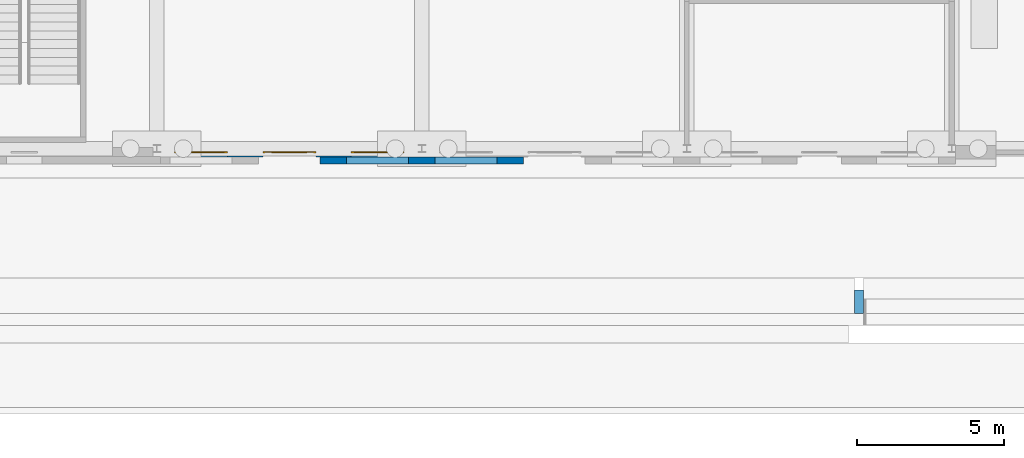
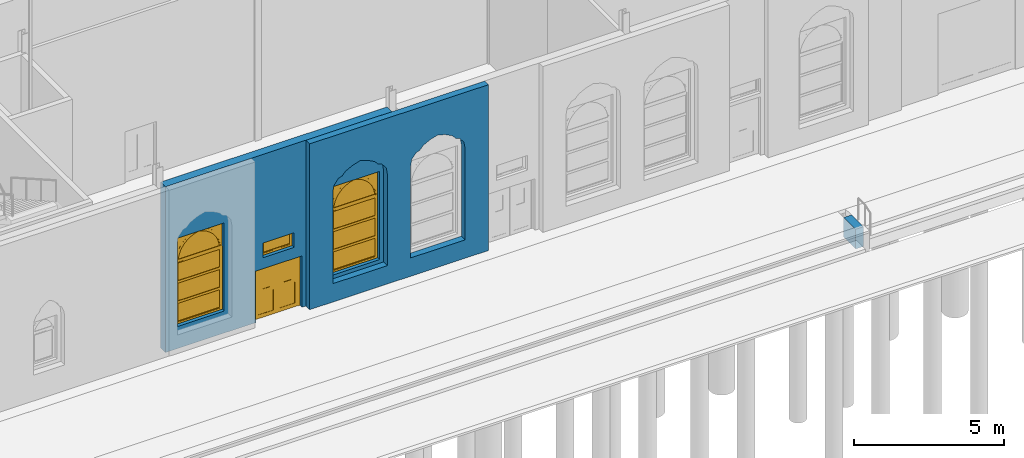
# One storey, part 91 of 250: 3 walls, 3 windows, 1 door, 4 openings.
"""IFC4 building model written with IfcOpenShell, lengths in metres."""

from ifc_helpers import new_model, si_unit, direction, frame, frame_2d, origin, place, context, subcontext, project, spatial, polyline, rectangle, outline, extrude, material, layer, layer_set, type_object, element, fill, save


model = new_model("IFC4")

# Units and contexts
model_context = context("Model", 3, precision=1e-05, world=origin(), true_north=direction((0.0, 1.0)))
body_context = subcontext(model_context, "Body", "Model", "MODEL_VIEW")
ifc_project = project(units=[si_unit("LENGTHUNIT", "METRE"), si_unit("AREAUNIT", "SQUARE_METRE"), si_unit("VOLUMEUNIT", "CUBIC_METRE"), si_unit("PLANEANGLEUNIT", "RADIAN"), si_unit("MASSUNIT", "GRAM", prefix="KILO")], contexts=[model_context])

# Site, building, storey
site_placement = place(None, origin())
site = spatial("IfcSite", under=ifc_project, at=site_placement, CompositionType="ELEMENT")
building_placement = place(site_placement, origin())
building = spatial("IfcBuilding", under=site, at=building_placement, Name="Baradari Gate Terminus", CompositionType="ELEMENT")
storey_placement = place(building_placement, origin())
storey = spatial("IfcBuildingStorey", under=building, at=storey_placement, Name="L00", CompositionType="ELEMENT", Elevation=0.0)

# Walls
ifc_material_1 = material(Name="Laterite masonry", Category="masonry")
ifc_layer_1 = layer(ifc_material_1, 0.25)
ifc_layer_set_1 = layer_set([ifc_layer_1], Name="Laterite masonry")
wall_type_1 = type_object("IfcWallType", Name="Laterite masonry wall WP-1 250", PredefinedType="SOLIDWALL", material=ifc_layer_set_1)
wall_1_placement = place(storey_placement, frame((77.550048828125, 8.594970703125, 0.0), z_axis=(0.0, 0.0, 1.0), x_axis=(1.0, 0.0, 0.0)))
element("IfcWall", 1, at=wall_1_placement, inside=storey, type_object=wall_type_1, Name="Front course SS 2b 1", PredefinedType="SOLIDWALL", context=body_context, shape_type="SweptSolid", body=[
    extrude(outline(polyline([(0.0, 0.0), (6.89990234375, 0.0), (6.89990234375, 6.767333984375), (0.0, 6.767333984375), (0.0, 0.0)]), holes=[polyline([(0.89990234375, 4.5), (0.94189453125, 4.751953125), (1.110107421875, 4.968017578125), (1.257080078125, 5.02197265625), (1.383056640625, 5.166015625), (1.656005859375, 5.31005859375), (1.949951171875, 5.39990234375), (2.243896484375, 5.31005859375), (2.51708984375, 5.166015625), (2.64306640625, 5.02197265625), (2.7900390625, 4.968017578125), (2.9580078125, 4.751953125), (3.0, 4.5), (3.0, 0.75), (0.89990234375, 0.75), (0.89990234375, 4.5)]), polyline([(3.89990234375, 4.5), (3.94189453125, 4.751953125), (4.110107421875, 4.968017578125), (4.257080078125, 5.02197265625), (4.383056640625, 5.166015625), (4.656005859375, 5.31005859375), (4.949951171875, 5.39990234375), (5.243896484375, 5.31005859375), (5.51708984375, 5.166015625), (5.64306640625, 5.02197265625), (5.7900390625, 4.968017578125), (5.9580078125, 4.751953125), (6.0, 4.5), (6.0, 0.75), (3.89990234375, 0.75), (3.89990234375, 4.5)])]), frame((0.0, 0.125, 0.0), z_axis=(0.0, -1.0, 0.0), x_axis=(1.0, 0.0, 0.0)), (0.0, 0.0, 1.0), 0.25),
])
ifc_material_2 = material(Name="Sandstone masonry", Category="masonry")
ifc_layer_2 = layer(ifc_material_2, 0.300048828125)
ifc_layer_set_2 = layer_set([ifc_layer_2], Name="Sandstone masonry")
wall_type_2 = type_object("IfcWallType", Name="Retaining cheek wall KW-2 300", PredefinedType="SOLIDWALL", material=ifc_layer_set_2)
wall_2_placement = place(storey_placement, frame((95.85009765625, 3.39990234375, -0.800048828125), z_axis=(0.0, 0.0, 1.0), x_axis=(0.0, 1.0, 0.0)))
element("IfcWall", 2, at=wall_2_placement, inside=storey, type_object=wall_type_2, Name="Return wall South entrance gate a", PredefinedType="SOLIDWALL", context=body_context, shape_type="SweptSolid", body=[
    extrude(rectangle(XDim=0.800048828125, YDim=0.300048828125, at=frame_2d((0.39990234375, 0.0))), origin(), (0.0, 0.0, 1.0), 0.800048828125),
])

# Wall, openings, windows, door
ifc_material_3 = material(Name="Sandstone masonry", Category="masonry")
ifc_layer_3 = layer(ifc_material_3, 0.320068359375)
ifc_layer_set_3 = layer_set([ifc_layer_3], Name="Sandstone masonry")
wall_type_3 = type_object("IfcWallType", Name="Sandstone masonry wall WS-3 320", PredefinedType="SOLIDWALL", material=ifc_layer_set_3)
wall_3_placement = place(storey_placement, frame((72.127197265625, 8.880126953125, 0.0), z_axis=(0.0, 0.0, 1.0), x_axis=(1.0, 0.0, 0.0)))
wall_3 = element("IfcWall", 3, at=wall_3_placement, inside=storey, type_object=wall_type_3, Name="south front SS bay 9 L00", PredefinedType="SOLIDWALL", context=body_context, shape_type="SweptSolid", body=[
    extrude(rectangle(XDim=8.74560546875, YDim=0.320068359375, at=frame_2d((4.372802734375, 0.0))), origin(), (0.0, 0.0, 1.0), 6.767333984375),
])
opening_1_placement = place(wall_3_placement, frame((3.47265625, 0.0, 0.0)))
opening_1 = element("IfcOpeningElement", 4, at=opening_1_placement, cuts=wall_3, Name="Opening D00-046", PredefinedType="OPENING", context=body_context, shape_type="SweptSolid", body=[
    extrude(rectangle(XDim=1.800048828125, YDim=2.10009765625, at=frame_2d((0.89990234375, 1.050048828125))), frame((0.0, 0.169921875, 0.0), z_axis=(0.0, -1.0, 0.0), x_axis=(1.0, 0.0, 0.0)), (0.0, 0.0, 1.0), 0.340087890625),
])
opening_2_placement = place(wall_3_placement, frame((3.772705078125, 0.0, 2.550048828125)))
opening_2 = element("IfcOpeningElement", 5, at=opening_2_placement, cuts=wall_3, Name="Opening W10", PredefinedType="OPENING", context=body_context, shape_type="SweptSolid", body=[
    extrude(rectangle(XDim=1.199951171875, YDim=0.60009765625, at=frame_2d((0.60009765625, 0.300048828125))), frame((0.0, 0.169921875, 0.0), z_axis=(0.0, -1.0, 0.0), x_axis=(1.0, 0.0, 0.0)), (0.0, 0.0, 1.0), 0.340087890625),
])
opening_3_placement = place(wall_3_placement, frame((0.47265625, 0.0, 0.89990234375)))
opening_3 = element("IfcOpeningElement", 6, at=opening_3_placement, cuts=wall_3, Name="Opening W3", PredefinedType="OPENING", context=body_context, shape_type="SweptSolid", body=[
    extrude(rectangle(XDim=1.800048828125, YDim=3.60009765625, at=frame_2d((0.89990234375, 1.800048828125))), frame((0.0, 0.169921875, 0.0), z_axis=(0.0, -1.0, 0.0), x_axis=(1.0, 0.0, 0.0)), (0.0, 0.0, 1.0), 0.340087890625),
])
opening_4_placement = place(wall_3_placement, frame((6.47265625, 0.0, 0.89990234375)))
opening_4 = element("IfcOpeningElement", 7, at=opening_4_placement, cuts=wall_3, Name="Opening W3", PredefinedType="OPENING", context=body_context, shape_type="SweptSolid", body=[
    extrude(rectangle(XDim=1.800048828125, YDim=3.60009765625, at=frame_2d((0.89990234375, 1.800048828125))), frame((0.0, 0.169921875, 0.0), z_axis=(0.0, -1.0, 0.0), x_axis=(1.0, 0.0, 0.0)), (0.0, 0.0, 1.0), 0.340087890625),
])
ifc_material_4 = material(Name="Aluminium 6063-T6", Category="aluminium")
window_type_1 = type_object("IfcWindowType", Name="Door fanlight W10 1200x600", PartitioningType="SINGLE_PANEL", PredefinedType="WINDOW", material=ifc_material_4)
window_1_placement = place(opening_2_placement, origin())
window_1 = element("IfcWindow", 8, at=window_1_placement, inside=storey, type_object=window_type_1, Name="Fanlight over Bicycle Store", OverallHeight=0.6, OverallWidth=1.2, PartitioningType="SINGLE_PANEL", PredefinedType="WINDOW", context=body_context, shape_type="SweptSolid", body=[
    extrude(outline(polyline([(0.0, 0.0), (1.199951171875, 0.0), (1.199951171875, 0.60009765625), (0.0, 0.60009765625), (0.0, 0.0)]), holes=[polyline([(0.070068359375, 0.070068359375), (1.1298828125, 0.070068359375), (1.1298828125, 0.530029296875), (0.070068359375, 0.530029296875), (0.070068359375, 0.070068359375)])]), frame((0.0, 0.030029296875, 0.0), z_axis=(0.0, -1.0, 0.0), x_axis=(1.0, 0.0, 0.0)), (0.0, 0.0, 1.0), 0.06005859375),
    extrude(outline(polyline([(0.070068359375, 0.070068359375), (1.1298828125, 0.070068359375), (1.1298828125, 0.530029296875), (0.070068359375, 0.530029296875), (0.070068359375, 0.070068359375)]), holes=[polyline([(0.10009765625, 0.10009765625), (1.099853515625, 0.10009765625), (1.099853515625, 0.5), (0.10009765625, 0.5), (0.10009765625, 0.10009765625)])]), frame((0.0, 0.0224609375, 0.0), z_axis=(0.0, -1.0, 0.0), x_axis=(1.0, 0.0, 0.0)), (0.0, 0.0, 1.0), 0.044921875),
    extrude(rectangle(XDim=0.999755859375, YDim=0.39990234375, at=frame_2d((0.60009765625, 0.300048828125))), frame((0.0, 0.006103515625, 0.0), z_axis=(0.0, -1.0, 0.0), x_axis=(1.0, 0.0, 0.0)), (0.0, 0.0, 1.0), 0.01220703125),
])
fill(opening_2, window_1)
ifc_material_5 = material(Name="Steel S235", Category="steel")
door_type = type_object("IfcDoorType", Name="Store door pair, steel DT-5 1800x2100", OperationType="DOUBLE_DOOR_SINGLE_SWING", PredefinedType="DOOR", material=ifc_material_5)
door_placement = place(opening_1_placement, frame((1.800048828125, 0.0, 0.0), z_axis=(0.0, 0.0, 1.0), x_axis=(-1.0, 0.0, 0.0)))
door = element("IfcDoor", 9, at=door_placement, inside=storey, type_object=door_type, Name="Exit door Bicycle Store", OperationType="DOUBLE_DOOR_SINGLE_SWING", OverallHeight=2.1, OverallWidth=1.8, PredefinedType="DOOR", context=body_context, shape_type="SweptSolid", body=[
    extrude(outline(polyline([(0.0, 0.0), (0.070068359375, 0.0), (0.070068359375, 2.030029296875), (1.72998046875, 2.030029296875), (1.72998046875, 0.0), (1.800048828125, 0.0), (1.800048828125, 2.10009765625), (0.0, 2.10009765625), (0.0, 0.0)])), frame((0.0, 0.02490234375, 0.0), z_axis=(0.0, -1.0, 0.0), x_axis=(1.0, 0.0, 0.0)), (0.0, 0.0, 1.0), 0.050048828125),
    extrude(outline(polyline([(0.073974609375, 0.010009765625), (0.89697265625, 0.010009765625), (0.89697265625, 2.026123046875), (0.073974609375, 2.026123046875), (0.073974609375, 0.010009765625)]), holes=[polyline([(0.194091796875, 0.159912109375), (0.77685546875, 0.159912109375), (0.77685546875, 1.010009765625), (0.194091796875, 1.010009765625), (0.194091796875, 0.159912109375)]), polyline([(0.33544921875, 1.159912109375), (0.635498046875, 1.159912109375), (0.635498046875, 1.760009765625), (0.33544921875, 1.760009765625), (0.33544921875, 1.159912109375)])]), frame((0.0, 0.017333984375, 0.0), z_axis=(0.0, -1.0, 0.0), x_axis=(1.0, 0.0, 0.0)), (0.0, 0.0, 1.0), 0.034912109375),
    extrude(rectangle(XDim=0.582763671875, YDim=0.85009765625, at=frame_2d((0.4853515625, 0.5849609375))), frame((0.0, 0.008544921875, 0.0), z_axis=(0.0, -1.0, 0.0), x_axis=(1.0, 0.0, 0.0)), (0.0, 0.0, 1.0), 0.017333984375),
    extrude(rectangle(XDim=0.300048828125, YDim=0.60009765625, at=frame_2d((0.4853515625, 1.4599609375))), frame((0.0, 0.005859375, 0.0), z_axis=(0.0, -1.0, 0.0), x_axis=(1.0, 0.0, 0.0)), (0.0, 0.0, 1.0), 0.011962890625),
    extrude(outline(polyline([(0.903076171875, 0.010009765625), (1.72607421875, 0.010009765625), (1.72607421875, 2.026123046875), (0.903076171875, 2.026123046875), (0.903076171875, 0.010009765625)]), holes=[polyline([(1.023193359375, 0.159912109375), (1.60595703125, 0.159912109375), (1.60595703125, 1.010009765625), (1.023193359375, 1.010009765625), (1.023193359375, 0.159912109375)]), polyline([(1.16455078125, 1.159912109375), (1.464599609375, 1.159912109375), (1.464599609375, 1.760009765625), (1.16455078125, 1.760009765625), (1.16455078125, 1.159912109375)])]), frame((0.0, 0.017333984375, 0.0), z_axis=(0.0, -1.0, 0.0), x_axis=(1.0, 0.0, 0.0)), (0.0, 0.0, 1.0), 0.034912109375),
    extrude(rectangle(XDim=0.582763671875, YDim=0.85009765625, at=frame_2d((1.314453125, 0.5849609375))), frame((0.0, 0.008544921875, 0.0), z_axis=(0.0, -1.0, 0.0), x_axis=(1.0, 0.0, 0.0)), (0.0, 0.0, 1.0), 0.017333984375),
    extrude(rectangle(XDim=0.300048828125, YDim=0.60009765625, at=frame_2d((1.314453125, 1.4599609375))), frame((0.0, 0.005859375, 0.0), z_axis=(0.0, -1.0, 0.0), x_axis=(1.0, 0.0, 0.0)), (0.0, 0.0, 1.0), 0.011962890625),
])
fill(opening_1, door)
ifc_material_6 = material(Name="Aluminium 6063-T6", Category="aluminium")
window_type_2 = type_object("IfcWindowType", Name="Tall window, 3-light W3 1800x3600", PartitioningType="TRIPLE_PANEL_HORIZONTAL", PredefinedType="WINDOW", material=ifc_material_6)
window_2_placement = place(opening_3_placement, origin())
window_2 = element("IfcWindow", 10, at=window_2_placement, inside=storey, type_object=window_type_2, Name="Window W3 SS/08", OverallHeight=3.6, OverallWidth=1.8, PartitioningType="TRIPLE_PANEL_HORIZONTAL", PredefinedType="WINDOW", context=body_context, shape_type="SweptSolid", body=[
    extrude(outline(polyline([(0.0, 0.0), (1.800048828125, 0.0), (1.800048828125, 2.5400390625), (1.792724609375, 2.665771484375), (1.7705078125, 2.789794921875), (1.734130859375, 2.910400390625), (1.683837890625, 3.02587890625), (1.620361328125, 3.134765625), (1.544677734375, 3.2353515625), (1.457763671875, 3.326416015625), (1.360595703125, 3.40673828125), (1.2548828125, 3.47509765625), (1.1416015625, 3.530517578125), (1.02294921875, 3.572509765625), (0.89990234375, 3.60009765625), (0.777099609375, 3.572509765625), (0.658447265625, 3.530517578125), (0.545166015625, 3.47509765625), (0.439453125, 3.40673828125), (0.34228515625, 3.326416015625), (0.25537109375, 3.2353515625), (0.1796875, 3.134765625), (0.1162109375, 3.02587890625), (0.06591796875, 2.910400390625), (0.029541015625, 2.789794921875), (0.00732421875, 2.665771484375), (0.0, 2.5400390625), (0.0, 0.0)]), holes=[polyline([(0.070068359375, 0.070068359375), (1.72998046875, 0.070068359375), (1.72998046875, 2.5400390625), (1.72314453125, 2.65673828125), (1.702880859375, 2.771728515625), (1.66943359375, 2.8837890625), (1.623291015625, 2.990966796875), (1.564697265625, 3.09228515625), (1.4951171875, 3.18603515625), (1.414794921875, 3.27099609375), (1.325439453125, 3.34619140625), (1.227783203125, 3.410400390625), (1.12353515625, 3.462890625), (1.013671875, 3.5029296875), (0.89990234375, 3.530029296875), (0.786376953125, 3.5029296875), (0.676513671875, 3.462890625), (0.572265625, 3.410400390625), (0.474609375, 3.34619140625), (0.38525390625, 3.27099609375), (0.304931640625, 3.18603515625), (0.2353515625, 3.09228515625), (0.1767578125, 2.990966796875), (0.130615234375, 2.8837890625), (0.09716796875, 2.771728515625), (0.076904296875, 2.65673828125), (0.070068359375, 2.5400390625), (0.070068359375, 0.070068359375)])]), frame((0.0, 0.030029296875, 0.0), z_axis=(0.0, -1.0, 0.0), x_axis=(1.0, 0.0, 0.0)), (0.0, 0.0, 1.0), 0.06005859375),
    extrude(outline(polyline([(0.0, 2.5400390625), (0.00732421875, 2.665771484375), (0.029541015625, 2.789794921875), (0.06591796875, 2.910400390625), (0.1162109375, 3.02587890625), (0.1796875, 3.134765625), (0.25537109375, 3.2353515625), (0.34228515625, 3.326416015625), (0.439453125, 3.40673828125), (0.545166015625, 3.47509765625), (0.658447265625, 3.530517578125), (0.777099609375, 3.572509765625), (0.89990234375, 3.60009765625), (0.0, 3.60009765625), (0.0, 2.5400390625)])), frame((0.0, 0.028076171875, 0.0), z_axis=(0.0, -1.0, 0.0), x_axis=(1.0, 0.0, 0.0)), (0.0, 0.0, 1.0), 0.05615234375),
    extrude(outline(polyline([(0.89990234375, 3.60009765625), (1.02294921875, 3.572509765625), (1.1416015625, 3.530517578125), (1.2548828125, 3.47509765625), (1.360595703125, 3.40673828125), (1.457763671875, 3.326416015625), (1.544677734375, 3.2353515625), (1.620361328125, 3.134765625), (1.683837890625, 3.02587890625), (1.734130859375, 2.910400390625), (1.7705078125, 2.789794921875), (1.792724609375, 2.665771484375), (1.800048828125, 2.5400390625), (1.800048828125, 3.60009765625), (0.89990234375, 3.60009765625)])), frame((0.0, 0.027099609375, 0.0), z_axis=(0.0, -1.0, 0.0), x_axis=(1.0, 0.0, 0.0)), (0.0, 0.0, 1.0), 0.05419921875),
    extrude(outline(polyline([(1.7275390625, 2.580078125), (0.072509765625, 2.580078125), (0.070068359375, 2.5400390625), (0.070068359375, 2.5), (1.72998046875, 2.5), (1.72998046875, 2.5400390625), (1.7275390625, 2.580078125)])), frame((0.0, 0.02099609375, 0.0), z_axis=(0.0, -1.0, 0.0), x_axis=(1.0, 0.0, 0.0)), (0.0, 0.0, 1.0), 0.0419921875),
    extrude(rectangle(XDim=1.659912109375, YDim=0.0400390625, at=frame_2d((0.89990234375, 0.873291015625))), frame((0.0, 0.021484375, 0.0), z_axis=(0.0, -1.0, 0.0), x_axis=(1.0, 0.0, 0.0)), (0.0, 0.0, 1.0), 0.04296875),
    extrude(rectangle(XDim=1.659912109375, YDim=0.0400390625, at=frame_2d((0.89990234375, 1.69677734375))), frame((0.0, 0.021484375, 0.0), z_axis=(0.0, -1.0, 0.0), x_axis=(1.0, 0.0, 0.0)), (0.0, 0.0, 1.0), 0.04296875),
    extrude(outline(polyline([(0.070068359375, 0.070068359375), (1.72998046875, 0.070068359375), (1.72998046875, 0.853271484375), (0.070068359375, 0.853271484375), (0.070068359375, 0.070068359375)]), holes=[polyline([(0.10009765625, 0.10009765625), (1.699951171875, 0.10009765625), (1.699951171875, 0.8232421875), (0.10009765625, 0.8232421875), (0.10009765625, 0.10009765625)])]), frame((0.0, 0.0224609375, 0.0), z_axis=(0.0, -1.0, 0.0), x_axis=(1.0, 0.0, 0.0)), (0.0, 0.0, 1.0), 0.044921875),
    extrude(rectangle(XDim=1.599853515625, YDim=0.72314453125, at=frame_2d((0.89990234375, 0.461669921875))), frame((0.0, 0.006103515625, 0.0), z_axis=(0.0, -1.0, 0.0), x_axis=(1.0, 0.0, 0.0)), (0.0, 0.0, 1.0), 0.01220703125),
    extrude(outline(polyline([(0.070068359375, 0.893310546875), (1.72998046875, 0.893310546875), (1.72998046875, 1.6767578125), (0.070068359375, 1.6767578125), (0.070068359375, 0.893310546875)]), holes=[polyline([(0.10009765625, 0.92333984375), (1.699951171875, 0.92333984375), (1.699951171875, 1.646728515625), (0.10009765625, 1.646728515625), (0.10009765625, 0.92333984375)])]), frame((0.0, 0.0224609375, 0.0), z_axis=(0.0, -1.0, 0.0), x_axis=(1.0, 0.0, 0.0)), (0.0, 0.0, 1.0), 0.044921875),
    extrude(rectangle(XDim=1.599853515625, YDim=0.723388671875, at=frame_2d((0.89990234375, 1.28515625))), frame((0.0, 0.006103515625, 0.0), z_axis=(0.0, -1.0, 0.0), x_axis=(1.0, 0.0, 0.0)), (0.0, 0.0, 1.0), 0.01220703125),
    extrude(outline(polyline([(0.070068359375, 1.716796875), (1.72998046875, 1.716796875), (1.72998046875, 2.5), (0.070068359375, 2.5), (0.070068359375, 1.716796875)]), holes=[polyline([(0.10009765625, 1.746826171875), (1.699951171875, 1.746826171875), (1.699951171875, 2.469970703125), (0.10009765625, 2.469970703125), (0.10009765625, 1.746826171875)])]), frame((0.0, 0.0224609375, 0.0), z_axis=(0.0, -1.0, 0.0), x_axis=(1.0, 0.0, 0.0)), (0.0, 0.0, 1.0), 0.044921875),
    extrude(rectangle(XDim=1.599853515625, YDim=0.72314453125, at=frame_2d((0.89990234375, 2.1083984375))), frame((0.0, 0.006103515625, 0.0), z_axis=(0.0, -1.0, 0.0), x_axis=(1.0, 0.0, 0.0)), (0.0, 0.0, 1.0), 0.01220703125),
    extrude(outline(polyline([(0.072509765625, 2.580078125), (1.7275390625, 2.580078125), (1.72314453125, 2.65673828125), (1.702880859375, 2.771728515625), (1.66943359375, 2.8837890625), (1.623291015625, 2.990966796875), (1.564697265625, 3.09228515625), (1.4951171875, 3.18603515625), (1.414794921875, 3.27099609375), (1.325439453125, 3.34619140625), (1.227783203125, 3.410400390625), (1.12353515625, 3.462890625), (1.013671875, 3.5029296875), (0.89990234375, 3.530029296875), (0.786376953125, 3.5029296875), (0.676513671875, 3.462890625), (0.572265625, 3.410400390625), (0.474609375, 3.34619140625), (0.38525390625, 3.27099609375), (0.304931640625, 3.18603515625), (0.2353515625, 3.09228515625), (0.1767578125, 2.990966796875), (0.130615234375, 2.8837890625), (0.09716796875, 2.771728515625), (0.076904296875, 2.65673828125), (0.072509765625, 2.580078125)]), holes=[polyline([(0.11181640625, 2.652587890625), (0.13134765625, 2.763671875), (0.16357421875, 2.871826171875), (0.2080078125, 2.975341796875), (0.2646484375, 3.072998046875), (0.331787109375, 3.16357421875), (0.409423828125, 3.24560546875), (0.49560546875, 3.318115234375), (0.58984375, 3.380126953125), (0.6904296875, 3.4306640625), (0.79638671875, 3.46923828125), (0.89990234375, 3.494140625), (1.003662109375, 3.46923828125), (1.109619140625, 3.4306640625), (1.210205078125, 3.380126953125), (1.304443359375, 3.318115234375), (1.390625, 3.24560546875), (1.46826171875, 3.16357421875), (1.535400390625, 3.072998046875), (1.592041015625, 2.975341796875), (1.636474609375, 2.871826171875), (1.668701171875, 2.763671875), (1.688232421875, 2.652587890625), (1.6904296875, 2.614990234375), (0.109619140625, 2.614990234375), (0.11181640625, 2.652587890625)])]), frame((0.0, 0.0224609375, 0.0), z_axis=(0.0, -1.0, 0.0), x_axis=(1.0, 0.0, 0.0)), (0.0, 0.0, 1.0), 0.044921875),
    extrude(outline(polyline([(0.109619140625, 2.614990234375), (1.6904296875, 2.614990234375), (1.688232421875, 2.652587890625), (1.668701171875, 2.763671875), (1.636474609375, 2.871826171875), (1.592041015625, 2.975341796875), (1.535400390625, 3.072998046875), (1.46826171875, 3.16357421875), (1.390625, 3.24560546875), (1.304443359375, 3.318115234375), (1.210205078125, 3.380126953125), (1.109619140625, 3.4306640625), (1.003662109375, 3.46923828125), (0.89990234375, 3.494140625), (0.79638671875, 3.46923828125), (0.6904296875, 3.4306640625), (0.58984375, 3.380126953125), (0.49560546875, 3.318115234375), (0.409423828125, 3.24560546875), (0.331787109375, 3.16357421875), (0.2646484375, 3.072998046875), (0.2080078125, 2.975341796875), (0.16357421875, 2.871826171875), (0.13134765625, 2.763671875), (0.11181640625, 2.652587890625), (0.109619140625, 2.614990234375)])), frame((0.0, 0.006103515625, 0.0), z_axis=(0.0, -1.0, 0.0), x_axis=(1.0, 0.0, 0.0)), (0.0, 0.0, 1.0), 0.01220703125),
])
fill(opening_3, window_2)
window_3_placement = place(opening_4_placement, origin())
window_3 = element("IfcWindow", 11, at=window_3_placement, inside=storey, type_object=window_type_2, Name="Window W3 SS/08", OverallHeight=3.6, OverallWidth=1.8, PartitioningType="TRIPLE_PANEL_HORIZONTAL", PredefinedType="WINDOW", context=body_context, shape_type="SweptSolid", body=[
    extrude(outline(polyline([(0.0, 0.0), (1.800048828125, 0.0), (1.800048828125, 2.5400390625), (1.792724609375, 2.665771484375), (1.7705078125, 2.789794921875), (1.734130859375, 2.910400390625), (1.683837890625, 3.02587890625), (1.620361328125, 3.134765625), (1.544677734375, 3.2353515625), (1.457763671875, 3.326416015625), (1.360595703125, 3.40673828125), (1.2548828125, 3.47509765625), (1.1416015625, 3.530517578125), (1.02294921875, 3.572509765625), (0.89990234375, 3.60009765625), (0.777099609375, 3.572509765625), (0.658447265625, 3.530517578125), (0.545166015625, 3.47509765625), (0.439453125, 3.40673828125), (0.34228515625, 3.326416015625), (0.25537109375, 3.2353515625), (0.1796875, 3.134765625), (0.1162109375, 3.02587890625), (0.06591796875, 2.910400390625), (0.029541015625, 2.789794921875), (0.00732421875, 2.665771484375), (0.0, 2.5400390625), (0.0, 0.0)]), holes=[polyline([(0.070068359375, 0.070068359375), (1.72998046875, 0.070068359375), (1.72998046875, 2.5400390625), (1.72314453125, 2.65673828125), (1.702880859375, 2.771728515625), (1.66943359375, 2.8837890625), (1.623291015625, 2.990966796875), (1.564697265625, 3.09228515625), (1.4951171875, 3.18603515625), (1.414794921875, 3.27099609375), (1.325439453125, 3.34619140625), (1.227783203125, 3.410400390625), (1.12353515625, 3.462890625), (1.013671875, 3.5029296875), (0.89990234375, 3.530029296875), (0.786376953125, 3.5029296875), (0.676513671875, 3.462890625), (0.572265625, 3.410400390625), (0.474609375, 3.34619140625), (0.38525390625, 3.27099609375), (0.304931640625, 3.18603515625), (0.2353515625, 3.09228515625), (0.1767578125, 2.990966796875), (0.130615234375, 2.8837890625), (0.09716796875, 2.771728515625), (0.076904296875, 2.65673828125), (0.070068359375, 2.5400390625), (0.070068359375, 0.070068359375)])]), frame((0.0, 0.030029296875, 0.0), z_axis=(0.0, -1.0, 0.0), x_axis=(1.0, 0.0, 0.0)), (0.0, 0.0, 1.0), 0.06005859375),
    extrude(outline(polyline([(0.0, 2.5400390625), (0.00732421875, 2.665771484375), (0.029541015625, 2.789794921875), (0.06591796875, 2.910400390625), (0.1162109375, 3.02587890625), (0.1796875, 3.134765625), (0.25537109375, 3.2353515625), (0.34228515625, 3.326416015625), (0.439453125, 3.40673828125), (0.545166015625, 3.47509765625), (0.658447265625, 3.530517578125), (0.777099609375, 3.572509765625), (0.89990234375, 3.60009765625), (0.0, 3.60009765625), (0.0, 2.5400390625)])), frame((0.0, 0.028076171875, 0.0), z_axis=(0.0, -1.0, 0.0), x_axis=(1.0, 0.0, 0.0)), (0.0, 0.0, 1.0), 0.05615234375),
    extrude(outline(polyline([(0.89990234375, 3.60009765625), (1.02294921875, 3.572509765625), (1.1416015625, 3.530517578125), (1.2548828125, 3.47509765625), (1.360595703125, 3.40673828125), (1.457763671875, 3.326416015625), (1.544677734375, 3.2353515625), (1.620361328125, 3.134765625), (1.683837890625, 3.02587890625), (1.734130859375, 2.910400390625), (1.7705078125, 2.789794921875), (1.792724609375, 2.665771484375), (1.800048828125, 2.5400390625), (1.800048828125, 3.60009765625), (0.89990234375, 3.60009765625)])), frame((0.0, 0.027099609375, 0.0), z_axis=(0.0, -1.0, 0.0), x_axis=(1.0, 0.0, 0.0)), (0.0, 0.0, 1.0), 0.05419921875),
    extrude(outline(polyline([(1.7275390625, 2.580078125), (0.072509765625, 2.580078125), (0.070068359375, 2.5400390625), (0.070068359375, 2.5), (1.72998046875, 2.5), (1.72998046875, 2.5400390625), (1.7275390625, 2.580078125)])), frame((0.0, 0.02099609375, 0.0), z_axis=(0.0, -1.0, 0.0), x_axis=(1.0, 0.0, 0.0)), (0.0, 0.0, 1.0), 0.0419921875),
    extrude(rectangle(XDim=1.659912109375, YDim=0.0400390625, at=frame_2d((0.89990234375, 0.873291015625))), frame((0.0, 0.021484375, 0.0), z_axis=(0.0, -1.0, 0.0), x_axis=(1.0, 0.0, 0.0)), (0.0, 0.0, 1.0), 0.04296875),
    extrude(rectangle(XDim=1.659912109375, YDim=0.0400390625, at=frame_2d((0.89990234375, 1.69677734375))), frame((0.0, 0.021484375, 0.0), z_axis=(0.0, -1.0, 0.0), x_axis=(1.0, 0.0, 0.0)), (0.0, 0.0, 1.0), 0.04296875),
    extrude(outline(polyline([(0.070068359375, 0.070068359375), (1.72998046875, 0.070068359375), (1.72998046875, 0.853271484375), (0.070068359375, 0.853271484375), (0.070068359375, 0.070068359375)]), holes=[polyline([(0.10009765625, 0.10009765625), (1.699951171875, 0.10009765625), (1.699951171875, 0.8232421875), (0.10009765625, 0.8232421875), (0.10009765625, 0.10009765625)])]), frame((0.0, 0.0224609375, 0.0), z_axis=(0.0, -1.0, 0.0), x_axis=(1.0, 0.0, 0.0)), (0.0, 0.0, 1.0), 0.044921875),
    extrude(rectangle(XDim=1.599853515625, YDim=0.72314453125, at=frame_2d((0.89990234375, 0.461669921875))), frame((0.0, 0.006103515625, 0.0), z_axis=(0.0, -1.0, 0.0), x_axis=(1.0, 0.0, 0.0)), (0.0, 0.0, 1.0), 0.01220703125),
    extrude(outline(polyline([(0.070068359375, 0.893310546875), (1.72998046875, 0.893310546875), (1.72998046875, 1.6767578125), (0.070068359375, 1.6767578125), (0.070068359375, 0.893310546875)]), holes=[polyline([(0.10009765625, 0.92333984375), (1.699951171875, 0.92333984375), (1.699951171875, 1.646728515625), (0.10009765625, 1.646728515625), (0.10009765625, 0.92333984375)])]), frame((0.0, 0.0224609375, 0.0), z_axis=(0.0, -1.0, 0.0), x_axis=(1.0, 0.0, 0.0)), (0.0, 0.0, 1.0), 0.044921875),
    extrude(rectangle(XDim=1.599853515625, YDim=0.723388671875, at=frame_2d((0.89990234375, 1.28515625))), frame((0.0, 0.006103515625, 0.0), z_axis=(0.0, -1.0, 0.0), x_axis=(1.0, 0.0, 0.0)), (0.0, 0.0, 1.0), 0.01220703125),
    extrude(outline(polyline([(0.070068359375, 1.716796875), (1.72998046875, 1.716796875), (1.72998046875, 2.5), (0.070068359375, 2.5), (0.070068359375, 1.716796875)]), holes=[polyline([(0.10009765625, 1.746826171875), (1.699951171875, 1.746826171875), (1.699951171875, 2.469970703125), (0.10009765625, 2.469970703125), (0.10009765625, 1.746826171875)])]), frame((0.0, 0.0224609375, 0.0), z_axis=(0.0, -1.0, 0.0), x_axis=(1.0, 0.0, 0.0)), (0.0, 0.0, 1.0), 0.044921875),
    extrude(rectangle(XDim=1.599853515625, YDim=0.72314453125, at=frame_2d((0.89990234375, 2.1083984375))), frame((0.0, 0.006103515625, 0.0), z_axis=(0.0, -1.0, 0.0), x_axis=(1.0, 0.0, 0.0)), (0.0, 0.0, 1.0), 0.01220703125),
    extrude(outline(polyline([(0.072509765625, 2.580078125), (1.7275390625, 2.580078125), (1.72314453125, 2.65673828125), (1.702880859375, 2.771728515625), (1.66943359375, 2.8837890625), (1.623291015625, 2.990966796875), (1.564697265625, 3.09228515625), (1.4951171875, 3.18603515625), (1.414794921875, 3.27099609375), (1.325439453125, 3.34619140625), (1.227783203125, 3.410400390625), (1.12353515625, 3.462890625), (1.013671875, 3.5029296875), (0.89990234375, 3.530029296875), (0.786376953125, 3.5029296875), (0.676513671875, 3.462890625), (0.572265625, 3.410400390625), (0.474609375, 3.34619140625), (0.38525390625, 3.27099609375), (0.304931640625, 3.18603515625), (0.2353515625, 3.09228515625), (0.1767578125, 2.990966796875), (0.130615234375, 2.8837890625), (0.09716796875, 2.771728515625), (0.076904296875, 2.65673828125), (0.072509765625, 2.580078125)]), holes=[polyline([(0.11181640625, 2.652587890625), (0.13134765625, 2.763671875), (0.16357421875, 2.871826171875), (0.2080078125, 2.975341796875), (0.2646484375, 3.072998046875), (0.331787109375, 3.16357421875), (0.409423828125, 3.24560546875), (0.49560546875, 3.318115234375), (0.58984375, 3.380126953125), (0.6904296875, 3.4306640625), (0.79638671875, 3.46923828125), (0.89990234375, 3.494140625), (1.003662109375, 3.46923828125), (1.109619140625, 3.4306640625), (1.210205078125, 3.380126953125), (1.304443359375, 3.318115234375), (1.390625, 3.24560546875), (1.46826171875, 3.16357421875), (1.535400390625, 3.072998046875), (1.592041015625, 2.975341796875), (1.636474609375, 2.871826171875), (1.668701171875, 2.763671875), (1.688232421875, 2.652587890625), (1.6904296875, 2.614990234375), (0.109619140625, 2.614990234375), (0.11181640625, 2.652587890625)])]), frame((0.0, 0.0224609375, 0.0), z_axis=(0.0, -1.0, 0.0), x_axis=(1.0, 0.0, 0.0)), (0.0, 0.0, 1.0), 0.044921875),
    extrude(outline(polyline([(0.109619140625, 2.614990234375), (1.6904296875, 2.614990234375), (1.688232421875, 2.652587890625), (1.668701171875, 2.763671875), (1.636474609375, 2.871826171875), (1.592041015625, 2.975341796875), (1.535400390625, 3.072998046875), (1.46826171875, 3.16357421875), (1.390625, 3.24560546875), (1.304443359375, 3.318115234375), (1.210205078125, 3.380126953125), (1.109619140625, 3.4306640625), (1.003662109375, 3.46923828125), (0.89990234375, 3.494140625), (0.79638671875, 3.46923828125), (0.6904296875, 3.4306640625), (0.58984375, 3.380126953125), (0.49560546875, 3.318115234375), (0.409423828125, 3.24560546875), (0.331787109375, 3.16357421875), (0.2646484375, 3.072998046875), (0.2080078125, 2.975341796875), (0.16357421875, 2.871826171875), (0.13134765625, 2.763671875), (0.11181640625, 2.652587890625), (0.109619140625, 2.614990234375)])), frame((0.0, 0.006103515625, 0.0), z_axis=(0.0, -1.0, 0.0), x_axis=(1.0, 0.0, 0.0)), (0.0, 0.0, 1.0), 0.01220703125),
])
fill(opening_4, window_3)

save(model, "model.ifc")
